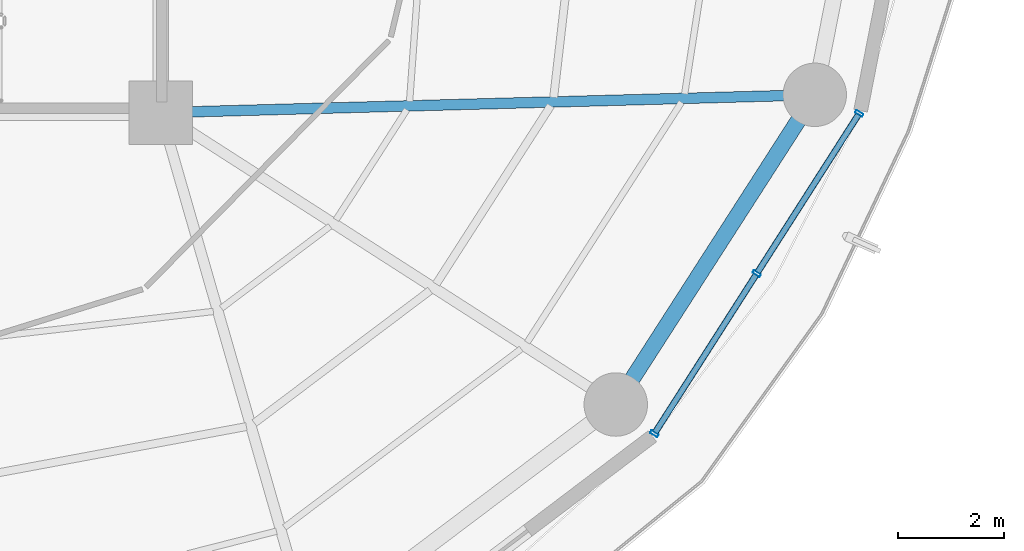
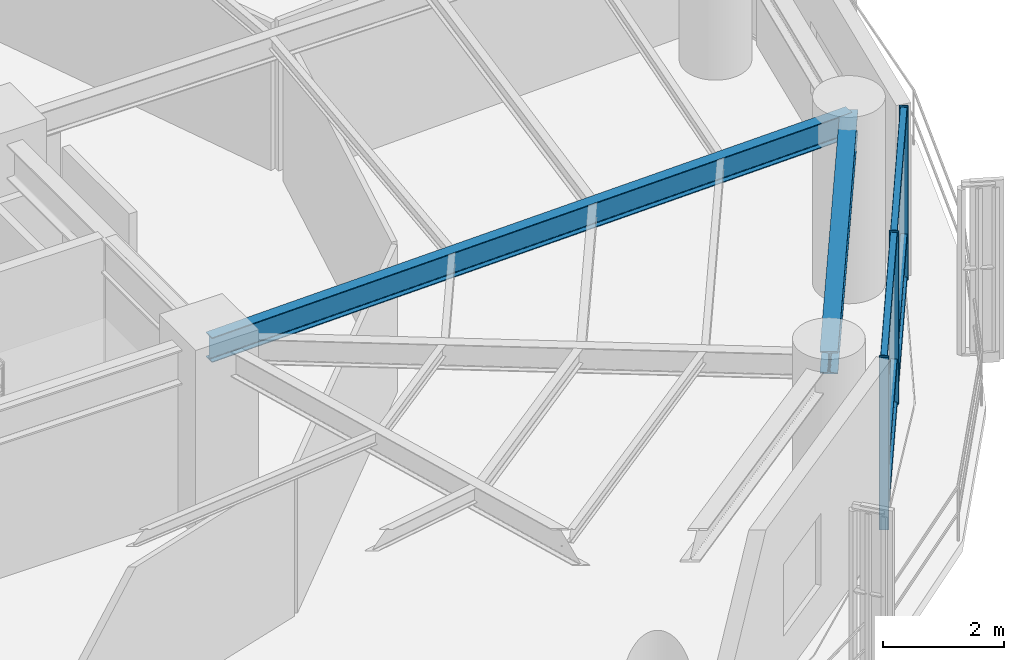
# One storey, part 11 of 28: 9 members, 2 beams, 1 element without a shape of its own.
"""IFC4 building model written with IfcOpenShell, lengths in metres."""

from ifc_helpers import new_model, si_unit, direction, frame, origin, origin_2d, place, context, subcontext, project, spatial, hollow_rectangle, i_section, extrude, material, layer, layer_set, material_profile, profile_set, type_object, element, aggregate, save


model = new_model("IFC4")

# Units and contexts
model_context = context("Model", 3, precision=1e-05, world=origin(), true_north=direction((0.0, 1.0)))
body_context = subcontext(model_context, "Body", "Model", "MODEL_VIEW")
ifc_project = project(units=[si_unit("LENGTHUNIT", "METRE"), si_unit("AREAUNIT", "SQUARE_METRE"), si_unit("VOLUMEUNIT", "CUBIC_METRE"), si_unit("PLANEANGLEUNIT", "RADIAN"), si_unit("MASSUNIT", "GRAM", prefix="KILO")], contexts=[model_context])

# Site, building, storey
site_placement = place(None, origin())
site = spatial("IfcSite", under=ifc_project, at=site_placement, CompositionType="ELEMENT")
building_placement = place(site_placement, origin())
building = spatial("IfcBuilding", under=site, at=building_placement, Name="Kelanora Arch Commons", CompositionType="ELEMENT")
storey_placement = place(building_placement, frame((0.0, 0.0, 158.10009765625)))
storey = spatial("IfcBuildingStorey", under=building, at=storey_placement, Name="L40", CompositionType="ELEMENT", Elevation=158.10009765625)

# Beams
ifc_material_1 = material(Name="Steel S355", Category="steel")
ifc_material_profile_1 = material_profile(ifc_material_1, i_section(OverallWidth=0.199951171875, OverallDepth=0.5, WebThickness=0.01025390625, FlangeThickness=0.01611328125, FilletRadius=0.02099609375, at=origin_2d()), Name="IPE500")
ifc_profile_set_1 = profile_set([ifc_material_profile_1], Name="Steel S355")
beam_type_1 = type_object("IfcBeamType", Name="BM-RAD-Z3", PredefinedType="BEAM", material=ifc_profile_set_1)
beam_1_placement = place(storey_placement, frame((82.0, 51.0, 3.239990234375), z_axis=(0.999628374924, 0.027260081577, 0.0), x_axis=(-0.027260081577, 0.999628374924, 0.0)))
element("IfcBeam", 1, at=beam_1_placement, inside=storey, type_object=beam_type_1, Name="Radial Floor Girder BR-34 L40", PredefinedType="BEAM", context=body_context, shape_type="SweptSolid", body=[
    extrude(i_section(OverallWidth=0.199951171875, OverallDepth=0.5, WebThickness=0.01025390625, FlangeThickness=0.01611328125, FilletRadius=0.02099609375, at=origin_2d()), origin(), (0.0, 0.0, 1.0), 12.377197265625),
])
ifc_material_profile_2 = material_profile(ifc_material_1, i_section(OverallWidth=0.300048828125, OverallDepth=0.449951171875, WebThickness=0.013916015625, FlangeThickness=0.02587890625, FilletRadius=0.027099609375, at=origin_2d()), Name="HEB450")
ifc_profile_set_2 = profile_set([ifc_material_profile_2], Name="Steel S355")
beam_type_2 = type_object("IfcBeamType", Name="BM-SPN-Z3", PredefinedType="SPANDREL", material=ifc_profile_set_2)
beam_2_placement = place(storey_placement, frame((90.60791015625, 45.478515625, 3.264892578125), z_axis=(0.540576852469, 0.841294637196, 0.0), x_axis=(-0.841294637196, 0.540576852469, 0.0)))
element("IfcBeam", 2, at=beam_2_placement, inside=storey, type_object=beam_type_2, Name="Perimeter Spandrel Beam BS-32 L40", PredefinedType="SPANDREL", context=body_context, shape_type="SweptSolid", body=[
    extrude(i_section(OverallWidth=0.300048828125, OverallDepth=0.449951171875, WebThickness=0.013916015625, FlangeThickness=0.02587890625, FilletRadius=0.027099609375, at=origin_2d()), origin(), (0.0, 0.0, 1.0), 6.964111328125),
])

# Curtain wall, members
ifc_material_2 = material(Name="Terracotta ceramic-fritted low-E glass and aluminium", Category="masonry")
ifc_layer = layer(ifc_material_2, 0.175048828125)
ifc_layer_set = layer_set([ifc_layer], Name="Terracotta ceramic-fritted low-E glass and aluminium")
curtain_wall_type = type_object("IfcCurtainWallType", Name="CW-SYS-02", PredefinedType="NOTDEFINED", material=ifc_layer_set)
curtain_wall_placement = place(storey_placement, origin())
curtain_wall = element("IfcCurtainWall", 3, at=curtain_wall_placement, inside=storey, type_object=curtain_wall_type, Name="Unitised Curtain Wall L40-B16", PredefinedType="NOTDEFINED")
ifc_material_3 = material(Name="Powder-coated aluminium terracotta", Category="masonry")
ifc_material_profile_3 = material_profile(ifc_material_3, hollow_rectangle(XDim=0.159912109375, YDim=0.06005859375, WallThickness=0.0048828125, InnerFilletRadius=0.0048828125, OuterFilletRadius=0.010009765625, at=origin_2d()), Name="CWM160x60")
ifc_profile_set_3 = profile_set([ifc_material_profile_3], Name="Powder-coated aluminium terracotta")
member_type_1 = type_object("IfcMemberType", Name="CWM-STD", PredefinedType="MULLION", material=ifc_profile_set_3)
member_1_placement = place(storey_placement, frame((91.3369140625, 44.925048828125, 0.0), z_axis=(0.0, 0.0, 1.0), x_axis=(-0.842422846546, 0.538816988983, 0.0)))
member_1 = element("IfcMember", 4, at=member_1_placement, type_object=member_type_1, Name="CW-02 mullion 1", PredefinedType="MULLION", context=body_context, shape_type="SweptSolid", body=[
    extrude(hollow_rectangle(XDim=0.159912109375, YDim=0.06005859375, WallThickness=0.0048828125, InnerFilletRadius=0.0048828125, OuterFilletRadius=0.010009765625, at=origin_2d()), origin(), (0.0, 0.0, 1.0), 3.474853515625),
])
member_2_placement = place(storey_placement, frame((93.27490234375, 47.954833984375, 0.0), z_axis=(0.0, 0.0, 1.0), x_axis=(-0.842422846546, 0.538816988983, 0.0)))
member_2 = element("IfcMember", 5, at=member_2_placement, type_object=member_type_1, Name="CW-02 mullion 2", PredefinedType="MULLION", context=body_context, shape_type="SweptSolid", body=[
    extrude(hollow_rectangle(XDim=0.159912109375, YDim=0.06005859375, WallThickness=0.0048828125, InnerFilletRadius=0.0048828125, OuterFilletRadius=0.010009765625, at=origin_2d()), origin(), (0.0, 0.0, 1.0), 3.474853515625),
])
member_3_placement = place(storey_placement, frame((95.212890625, 50.98486328125, 0.0), z_axis=(0.0, 0.0, 1.0), x_axis=(-0.842422846546, 0.538816988983, 0.0)))
member_3 = element("IfcMember", 6, at=member_3_placement, type_object=member_type_1, Name="CW-02 mullion 3", PredefinedType="MULLION", context=body_context, shape_type="SweptSolid", body=[
    extrude(hollow_rectangle(XDim=0.159912109375, YDim=0.06005859375, WallThickness=0.0048828125, InnerFilletRadius=0.0048828125, OuterFilletRadius=0.010009765625, at=origin_2d()), origin(), (0.0, 0.0, 1.0), 3.474853515625),
])
ifc_material_profile_4 = material_profile(ifc_material_3, hollow_rectangle(XDim=0.1201171875, YDim=0.06005859375, WallThickness=0.0048828125, InnerFilletRadius=0.0048828125, OuterFilletRadius=0.010009765625, at=origin_2d()), Name="CWT120x60")
ifc_profile_set_4 = profile_set([ifc_material_profile_4], Name="Powder-coated aluminium terracotta")
member_type_2 = type_object("IfcMemberType", Name="CWT-STD", PredefinedType="USERDEFINED", material=ifc_profile_set_4)
member_4_placement = place(storey_placement, frame((91.35302734375, 44.9501953125, 0.02978515625), z_axis=(0.53883037555, 0.842414284295, 0.0), x_axis=(-0.842414284295, 0.53883037555, 0.0)))
member_4 = element("IfcMember", 7, at=member_4_placement, type_object=member_type_2, Name="CW-02 transom 1.1", ObjectType="TRANSOM", PredefinedType="USERDEFINED", context=body_context, shape_type="SweptSolid", body=[
    extrude(hollow_rectangle(XDim=0.1201171875, YDim=0.06005859375, WallThickness=0.0048828125, InnerFilletRadius=0.0048828125, OuterFilletRadius=0.010009765625, at=origin_2d()), origin(), (0.0, 0.0, 1.0), 3.536865234375),
])
member_5_placement = place(storey_placement, frame((91.35302734375, 44.9501953125, 0.89990234375), z_axis=(0.53883037555, 0.842414284295, 0.0), x_axis=(-0.842414284295, 0.53883037555, 0.0)))
member_5 = element("IfcMember", 8, at=member_5_placement, type_object=member_type_2, Name="CW-02 transom 1.2", ObjectType="TRANSOM", PredefinedType="USERDEFINED", context=body_context, shape_type="SweptSolid", body=[
    extrude(hollow_rectangle(XDim=0.1201171875, YDim=0.06005859375, WallThickness=0.0048828125, InnerFilletRadius=0.0048828125, OuterFilletRadius=0.010009765625, at=origin_2d()), origin(), (0.0, 0.0, 1.0), 3.536865234375),
])
member_6_placement = place(storey_placement, frame((91.35302734375, 44.9501953125, 3.44482421875), z_axis=(0.53883037555, 0.842414284295, 0.0), x_axis=(-0.842414284295, 0.53883037555, 0.0)))
member_6 = element("IfcMember", 9, at=member_6_placement, type_object=member_type_2, Name="CW-02 transom 1.3", ObjectType="TRANSOM", PredefinedType="USERDEFINED", context=body_context, shape_type="SweptSolid", body=[
    extrude(hollow_rectangle(XDim=0.1201171875, YDim=0.06005859375, WallThickness=0.0048828125, InnerFilletRadius=0.0048828125, OuterFilletRadius=0.010009765625, at=origin_2d()), origin(), (0.0, 0.0, 1.0), 3.536865234375),
])
member_7_placement = place(storey_placement, frame((93.291015625, 47.980224609375, 0.02978515625), z_axis=(0.53883037555, 0.842414284295, 0.0), x_axis=(-0.842414284295, 0.53883037555, 0.0)))
member_7 = element("IfcMember", 10, at=member_7_placement, type_object=member_type_2, Name="CW-02 transom 2.1", ObjectType="TRANSOM", PredefinedType="USERDEFINED", context=body_context, shape_type="SweptSolid", body=[
    extrude(hollow_rectangle(XDim=0.1201171875, YDim=0.06005859375, WallThickness=0.0048828125, InnerFilletRadius=0.0048828125, OuterFilletRadius=0.010009765625, at=origin_2d()), origin(), (0.0, 0.0, 1.0), 3.536865234375),
])
member_8_placement = place(storey_placement, frame((93.291015625, 47.980224609375, 0.89990234375), z_axis=(0.53883037555, 0.842414284295, 0.0), x_axis=(-0.842414284295, 0.53883037555, 0.0)))
member_8 = element("IfcMember", 11, at=member_8_placement, type_object=member_type_2, Name="CW-02 transom 2.2", ObjectType="TRANSOM", PredefinedType="USERDEFINED", context=body_context, shape_type="SweptSolid", body=[
    extrude(hollow_rectangle(XDim=0.1201171875, YDim=0.06005859375, WallThickness=0.0048828125, InnerFilletRadius=0.0048828125, OuterFilletRadius=0.010009765625, at=origin_2d()), origin(), (0.0, 0.0, 1.0), 3.536865234375),
])
member_9_placement = place(storey_placement, frame((93.291015625, 47.980224609375, 3.44482421875), z_axis=(0.53883037555, 0.842414284295, 0.0), x_axis=(-0.842414284295, 0.53883037555, 0.0)))
member_9 = element("IfcMember", 12, at=member_9_placement, type_object=member_type_2, Name="CW-02 transom 2.3", ObjectType="TRANSOM", PredefinedType="USERDEFINED", context=body_context, shape_type="SweptSolid", body=[
    extrude(hollow_rectangle(XDim=0.1201171875, YDim=0.06005859375, WallThickness=0.0048828125, InnerFilletRadius=0.0048828125, OuterFilletRadius=0.010009765625, at=origin_2d()), origin(), (0.0, 0.0, 1.0), 3.536865234375),
])
aggregate(curtain_wall, [member_1, member_2, member_3, member_4, member_5, member_6, member_7, member_8, member_9])

save(model, "model.ifc")
